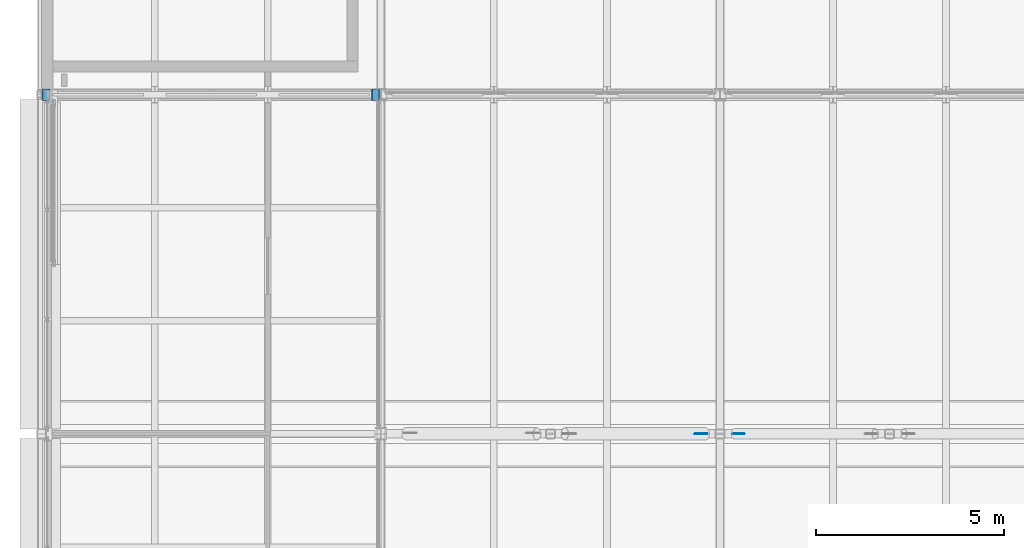
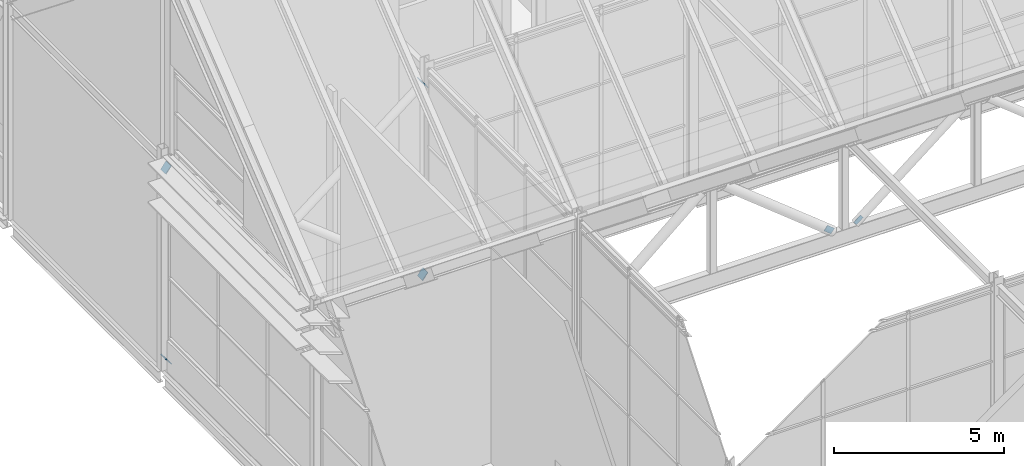
# One storey, part 134 of 144: 6 discrete accessories.
"""IFC4 building model written with IfcOpenShell, lengths in metres."""

from ifc_helpers import new_model, si_unit, direction, frame, origin, place, context, subcontext, project, spatial, polyline, outline, extrude, material, layer, layer_set, type_object, element, save


model = new_model("IFC4")

# Units and contexts
model_context = context("Model", 3, precision=1e-05, world=origin(), true_north=direction((0.0, 1.0)))
body_context = subcontext(model_context, "Body", "Model", "MODEL_VIEW")
ifc_project = project(units=[si_unit("LENGTHUNIT", "METRE"), si_unit("AREAUNIT", "SQUARE_METRE"), si_unit("VOLUMEUNIT", "CUBIC_METRE"), si_unit("PLANEANGLEUNIT", "RADIAN"), si_unit("MASSUNIT", "GRAM", prefix="KILO")], contexts=[model_context])

# Site, building, storey
site_placement = place(None, origin())
site = spatial("IfcSite", under=ifc_project, at=site_placement, CompositionType="ELEMENT")
building_placement = place(site_placement, origin())
building = spatial("IfcBuilding", under=site, at=building_placement, Name="Shorebreak Coast Museum", CompositionType="ELEMENT")
storey_placement = place(building_placement, frame((0.0, 0.0, 36.0)))
storey = spatial("IfcBuildingStorey", under=building, at=storey_placement, Name="L06", CompositionType="ELEMENT", Elevation=36.0)

# Discrete accessories
ifc_material_1 = material(Name="Steel Grade 300", Category="steel")
ifc_layer_1 = layer(ifc_material_1, 0.02490234375)
ifc_layer_set_1 = layer_set([ifc_layer_1], Name="Steel Grade 300")
discrete_accessory_type_1 = type_object("IfcDiscreteAccessoryType", Name="End plate 300 x 300 x 25", PredefinedType="BRACKET", material=ifc_layer_set_1)
discrete_accessory_1_placement = place(storey_placement, frame((54.218017578125, 80.85009765625, 0.18212890625), z_axis=(0.784820307898, 0.0, 0.619723393387), x_axis=(0.0, 1.0, 0.0)))
element("IfcDiscreteAccessory", 1, at=discrete_accessory_1_placement, inside=storey, type_object=discrete_accessory_type_1, Name="End plate X-brace bay 03 L06 diagonal 1 end 1", PredefinedType="BRACKET", context=body_context, shape_type="SweptSolid", body=[
    extrude(outline(polyline([(0.0, 0.0), (0.2998046875, 0.0), (0.2998046875, 0.3001906305865075), (0.0, 0.3001906305865075), (0.0, 0.0)])), origin(), (0.0, 0.0, -1.0), 0.02490234375),
])
for number, where, z_axis, x_axis, name in (
    (2, (62.958984375, 80.85009765625, 7.07861328125), (0.785215906045, 0.0, 0.619222077202), (0.0, 1.0, 0.0), "End plate X-brace bay 03 L06 diagonal 1 end 2"),
    (3, (62.753662109375, 81.14990234375, 0.18212890625), (-0.785215906045, 0.0, 0.619222077202), (0.0, -1.0, 0.0), "End plate X-brace bay 03 L06 diagonal 2 end 1"),
    (4, (54.012451171875, 81.14990234375, 7.07861328125), (-0.785215906045, 0.0, 0.619222077202), (0.0, -1.0, 0.0), "End plate X-brace bay 03 L06 diagonal 2 end 2"),
):
    element("IfcDiscreteAccessory", number, at=place(storey_placement, frame(where, z_axis=z_axis, x_axis=x_axis)), inside=storey, type_object=discrete_accessory_type_1, Name=name, PredefinedType="BRACKET", context=body_context, shape_type="SweptSolid", body=[
        extrude(outline(polyline([(0.0, 0.0), (0.2998046875, 0.0), (0.2998046875, 0.300039392110323), (0.0, 0.300039392110323), (0.0, 0.0)])), origin(), (0.0, 0.0, -1.0), 0.02490234375),
    ])
ifc_material_2 = material(Name="Steel Grade 300", Category="steel")
ifc_layer_2 = layer(ifc_material_2, 0.02001953125)
ifc_layer_set_2 = layer_set([ifc_layer_2], Name="Steel Grade 300")
discrete_accessory_type_2 = type_object("IfcDiscreteAccessoryType", Name="Gusset plate 150 x 300 x 20", PredefinedType="BRACKET", material=ifc_layer_set_2)
discrete_accessory_2_placement = place(storey_placement, frame((72.335693359375, 71.989990234375, 4.294189453125), z_axis=(0.0, -1.0, 0.0), x_axis=(0.624695047554, 0.0, -0.780868809443)))
element("IfcDiscreteAccessory", 5, at=discrete_accessory_2_placement, inside=storey, type_object=discrete_accessory_type_2, Name="Gusset plate Atrium roof truss TA3 diagonal D03 end 1", PredefinedType="BRACKET", context=body_context, shape_type="SweptSolid", body=[
    extrude(outline(polyline([(0.0, 0.0), (0.1500732243148324, 0.0), (0.1501113526746685, 0.29980329339114004), (3.812835983607599e-05, 0.29980329339114004), (0.0, 0.0)])), origin(), (0.0, 0.0, -1.0), 0.02001953125),
])
ifc_material_3 = material(Name="Steel Grade 300", Category="steel")
ifc_layer_3 = layer(ifc_material_3, 0.02001953125)
ifc_layer_set_3 = layer_set([ifc_layer_3], Name="Steel Grade 300")
discrete_accessory_type_3 = type_object("IfcDiscreteAccessoryType", Name="Gusset plate 200 x 300 x 20", PredefinedType="BRACKET", material=ifc_layer_set_3)
discrete_accessory_3_placement = place(storey_placement, frame((71.554931640625, 71.989990234375, 4.157470703125), z_axis=(0.0, -1.0, 0.0), x_axis=(0.624695047554, 0.0, 0.780868809443)))
element("IfcDiscreteAccessory", 6, at=discrete_accessory_3_placement, inside=storey, type_object=discrete_accessory_type_3, Name="Gusset plate Atrium roof truss TA3 diagonal D02 end 1", PredefinedType="BRACKET", context=body_context, shape_type="SweptSolid", body=[
    extrude(outline(polyline([(0.0, 0.0), (0.20009763241977652, 0.0), (0.2000595040599405, 0.29980329339114004), (-3.812835983607599e-05, 0.29980329339114004), (0.0, 0.0)])), origin(), (0.0, 0.0, -1.0), 0.02001953125),
])

save(model, "model.ifc")
